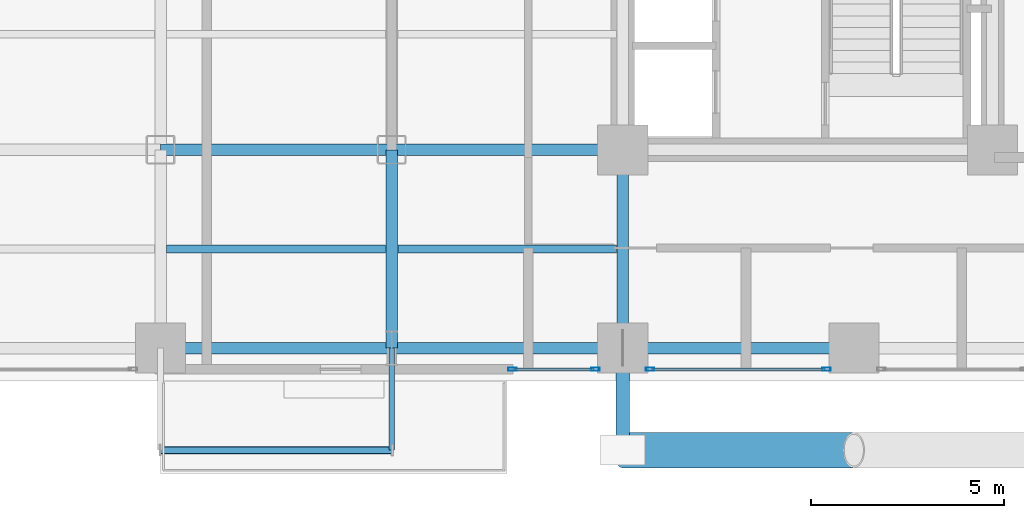
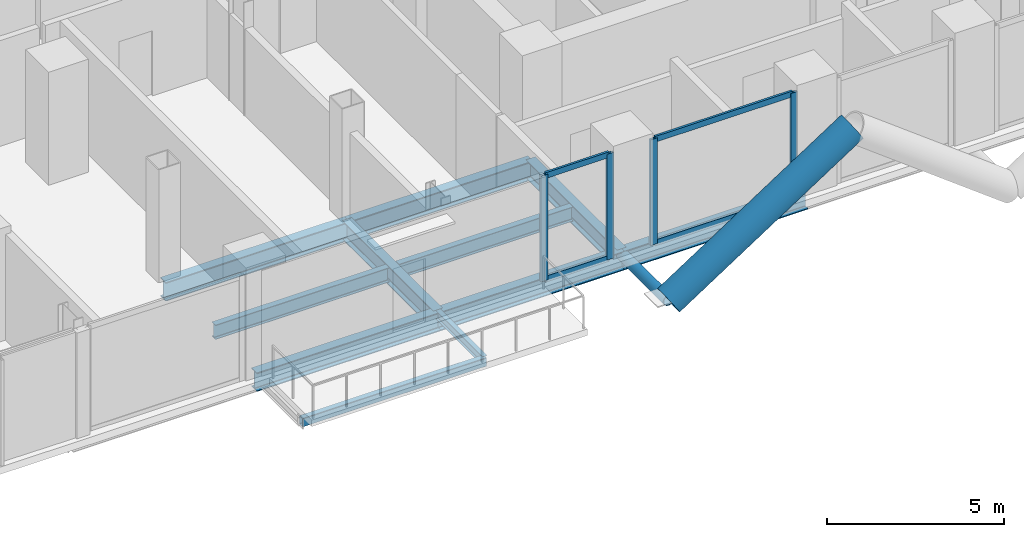
# One storey, part 3 of 25: 11 beams, 10 members, 2 elements without a shape of their own.
"""IFC4 building model written with IfcOpenShell, lengths in metres."""

from ifc_helpers import new_model, si_unit, direction, frame, origin, origin_2d, place, context, subcontext, project, spatial, hollow_rectangle, hollow_circle, i_section, extrude, material, layer, layer_set, material_profile, profile_set, type_object, element, aggregate, save


model = new_model("IFC4")

# Units and contexts
model_context = context("Model", 3, precision=1e-05, world=origin(), true_north=direction((0.0, 1.0)))
body_context = subcontext(model_context, "Body", "Model", "MODEL_VIEW")
ifc_project = project(units=[si_unit("LENGTHUNIT", "METRE"), si_unit("AREAUNIT", "SQUARE_METRE"), si_unit("VOLUMEUNIT", "CUBIC_METRE"), si_unit("PLANEANGLEUNIT", "RADIAN"), si_unit("MASSUNIT", "GRAM", prefix="KILO"), si_unit("THERMODYNAMICTEMPERATUREUNIT", "KELVIN"), si_unit("POWERUNIT", "WATT")], contexts=[model_context])

# Site, building, storey
site_placement = place(None, origin())
site = spatial("IfcSite", under=ifc_project, at=site_placement, CompositionType="ELEMENT")
building_placement = place(site_placement, origin())
building = spatial("IfcBuilding", under=site, at=building_placement, Name="Svarakhadi Broadcast Tower", CompositionType="ELEMENT")
storey_placement = place(building_placement, frame((0.0, 0.0, 83.10009765625)))
storey = spatial("IfcBuildingStorey", under=building, at=storey_placement, Name="L19", CompositionType="ELEMENT", Elevation=83.10009765625)

# Beams
ifc_material_1 = material(Name="Steel S355J2 (IS 2062 E350C)", Category="steel")
ifc_material_profile_1 = material_profile(ifc_material_1, i_section(OverallWidth=0.199951171875, OverallDepth=0.5, WebThickness=0.01025390625, FlangeThickness=0.01611328125, FilletRadius=0.02099609375, at=origin_2d()), Name="NPB 500x200x91")
ifc_profile_set_1 = profile_set([ifc_material_profile_1], Name="Steel S355J2 (IS 2062 E350C)")
beam_type_1 = type_object("IfcBeamType", Name="Beam_NPB500", PredefinedType="BEAM", material=ifc_profile_set_1)
for number, where, z_axis, x_axis, name in (
    (1, (12.159912109375, 3.425048828125, -0.5), (1.0, 0.0, 0.0), (0.0, 1.0, 0.0), "L19 Secondary Composite Beam SB013"),
    (2, (18.159912109375, 3.425048828125, -0.5), (1.0, 0.0, 0.0), (0.0, 1.0, 0.0), "L19 Secondary Composite Beam SB019"),
):
    element("IfcBeam", number, at=place(storey_placement, frame(where, z_axis=z_axis, x_axis=x_axis)), inside=storey, type_object=beam_type_1, Name=name, PredefinedType="BEAM", context=body_context, shape_type="SweptSolid", body=[
        extrude(i_section(OverallWidth=0.199951171875, OverallDepth=0.5, WebThickness=0.01025390625, FlangeThickness=0.01611328125, FilletRadius=0.02099609375, at=origin_2d()), origin(), (0.0, 0.0, 1.0), 5.68017578125),
    ])

# Curtain wall, members
ifc_material_2 = material(Name="Anodised Bronze Aluminium AA 6063-T6", Category="aluminium")
ifc_layer = layer(ifc_material_2, 0.219970703125)
ifc_layer_set = layer_set([ifc_layer], Name="Anodised Bronze Aluminium AA 6063-T6")
curtain_wall_type = type_object("IfcCurtainWallType", Name="CW_Sys_02", PredefinedType="NOTDEFINED", material=ifc_layer_set)
curtain_wall_1_placement = place(storey_placement, origin())
curtain_wall_1 = element("IfcCurtainWall", 3, at=curtain_wall_1_placement, inside=storey, type_object=curtain_wall_type, Name="L19 South Curtain Wall 16 Bay 5", PredefinedType="NOTDEFINED")
ifc_material_profile_2 = material_profile(ifc_material_2, hollow_rectangle(XDim=0.0849609375, YDim=0.219970703125, WallThickness=0.006103515625, at=origin_2d()), Name="ALU MULLION 220x85x6")
ifc_profile_set_2 = profile_set([ifc_material_profile_2], Name="Anodised Bronze Aluminium AA 6063-T6")
member_type_1 = type_object("IfcMemberType", Name="CW_Sys_02_Mul", PredefinedType="MULLION", material=ifc_profile_set_2)
member_1_placement = place(storey_placement, frame((29.28759765625, 0.300048828125, 0.0), z_axis=(0.0, 0.0, 1.0), x_axis=(0.0, -1.0, 0.0)))
member_1 = element("IfcMember", 4, at=member_1_placement, type_object=member_type_1, Name="CW-02 mullion 1", PredefinedType="MULLION", context=body_context, shape_type="SweptSolid", body=[
    extrude(hollow_rectangle(XDim=0.0849609375, YDim=0.219970703125, WallThickness=0.006103515625, at=origin_2d()), origin(), (0.0, 0.0, 1.0), 3.64990234375),
])
member_2_placement = place(storey_placement, frame((24.71240234375, 0.300048828125, 0.0), z_axis=(0.0, 0.0, 1.0), x_axis=(0.0, -1.0, 0.0)))
member_2 = element("IfcMember", 5, at=member_2_placement, type_object=member_type_1, Name="CW-02 mullion 2", PredefinedType="MULLION", context=body_context, shape_type="SweptSolid", body=[
    extrude(hollow_rectangle(XDim=0.0849609375, YDim=0.219970703125, WallThickness=0.006103515625, at=origin_2d()), origin(), (0.0, 0.0, 1.0), 3.64990234375),
])

curtain_wall_2_placement = place(storey_placement, origin())
curtain_wall_2 = element("IfcCurtainWall", 6, at=curtain_wall_2_placement, inside=storey, type_object=curtain_wall_type, Name="L19 South Curtain Wall 16 Bay 6", PredefinedType="NOTDEFINED")
member_3_placement = place(storey_placement, frame((23.28759765625, 0.300048828125, 0.0), z_axis=(0.0, 0.0, 1.0), x_axis=(0.0, -1.0, 0.0)))
member_3 = element("IfcMember", 7, at=member_3_placement, type_object=member_type_1, Name="CW-02 mullion 1", PredefinedType="MULLION", context=body_context, shape_type="SweptSolid", body=[
    extrude(hollow_rectangle(XDim=0.0849609375, YDim=0.219970703125, WallThickness=0.006103515625, at=origin_2d()), origin(), (0.0, 0.0, 1.0), 3.64990234375),
])
member_4_placement = place(storey_placement, frame((21.132568359375, 0.300048828125, 0.0), z_axis=(0.0, 0.0, 1.0), x_axis=(0.0, -1.0, 0.0)))
member_4 = element("IfcMember", 8, at=member_4_placement, type_object=member_type_1, Name="CW-02 mullion 2", PredefinedType="MULLION", context=body_context, shape_type="SweptSolid", body=[
    extrude(hollow_rectangle(XDim=0.0849609375, YDim=0.219970703125, WallThickness=0.006103515625, at=origin_2d()), origin(), (0.0, 0.0, 1.0), 3.64990234375),
])

# Member
ifc_material_profile_3 = material_profile(ifc_material_2, hollow_rectangle(XDim=0.074951171875, YDim=0.199951171875, WallThickness=0.0048828125, at=origin_2d()), Name="ALU TRANSOM 200x75x5")
ifc_profile_set_3 = profile_set([ifc_material_profile_3], Name="Anodised Bronze Aluminium AA 6063-T6")
member_type_2 = type_object("IfcMemberType", Name="CW_Sys_02_Trn", PredefinedType="USERDEFINED", material=ifc_profile_set_3)
member_5_placement = place(storey_placement, frame((29.2451171875, 0.300048828125, 0.037353515625), z_axis=(-1.0, 0.0, 0.0), x_axis=(0.0, -1.0, 0.0)))
member_5 = element("IfcMember", 9, at=member_5_placement, type_object=member_type_2, Name="CW-02 transom 1.1", ObjectType="TRANSOM", PredefinedType="USERDEFINED", context=body_context, shape_type="SweptSolid", body=[
    extrude(hollow_rectangle(XDim=0.074951171875, YDim=0.199951171875, WallThickness=0.0048828125, at=origin_2d()), origin(), (0.0, 0.0, 1.0), 4.490234375),
])

member_6_placement = place(storey_placement, frame((29.2451171875, 0.300048828125, 3.6123046875), z_axis=(-1.0, 0.0, 0.0), x_axis=(0.0, -1.0, 0.0)))
member_6 = element("IfcMember", 10, at=member_6_placement, type_object=member_type_2, Name="CW-02 transom 1.2", ObjectType="TRANSOM", PredefinedType="USERDEFINED", context=body_context, shape_type="SweptSolid", body=[
    extrude(hollow_rectangle(XDim=0.074951171875, YDim=0.199951171875, WallThickness=0.0048828125, at=origin_2d()), origin(), (0.0, 0.0, 1.0), 4.490234375),
])

aggregate(curtain_wall_1, [member_1, member_2, member_5, member_6])

member_7_placement = place(storey_placement, frame((23.2451171875, 0.300048828125, 0.037353515625), z_axis=(-1.0, 0.0, 0.0), x_axis=(0.0, -1.0, 0.0)))
member_7 = element("IfcMember", 11, at=member_7_placement, type_object=member_type_2, Name="CW-02 transom 1.1", ObjectType="TRANSOM", PredefinedType="USERDEFINED", context=body_context, shape_type="SweptSolid", body=[
    extrude(hollow_rectangle(XDim=0.074951171875, YDim=0.199951171875, WallThickness=0.0048828125, at=origin_2d()), origin(), (0.0, 0.0, 1.0), 2.070068359375),
])

member_8_placement = place(storey_placement, frame((23.2451171875, 0.300048828125, 3.6123046875), z_axis=(-1.0, 0.0, 0.0), x_axis=(0.0, -1.0, 0.0)))
member_8 = element("IfcMember", 12, at=member_8_placement, type_object=member_type_2, Name="CW-02 transom 1.2", ObjectType="TRANSOM", PredefinedType="USERDEFINED", context=body_context, shape_type="SweptSolid", body=[
    extrude(hollow_rectangle(XDim=0.074951171875, YDim=0.199951171875, WallThickness=0.0048828125, at=origin_2d()), origin(), (0.0, 0.0, 1.0), 2.070068359375),
])

aggregate(curtain_wall_2, [member_3, member_4, member_7, member_8])

# Members
ifc_material_3 = material(Name="Steel S460ML (IS 2062 E450BR)", Category="steel")
ifc_material_profile_4 = material_profile(ifc_material_3, hollow_circle(Radius=0.45703125, WallThickness=0.044921875, at=origin_2d()), Name="CHS 914x45")
ifc_profile_set_4 = profile_set([ifc_material_profile_4], Name="Steel S460ML (IS 2062 E450BR)")
member_type_3 = type_object("IfcMemberType", Name="Exo_Brace_CHS914", PredefinedType="BRACE", material=ifc_profile_set_4)
member_9_placement = place(storey_placement, frame((24.0, -1.800048828125, -0.427978515625), z_axis=(0.838434262763, 0.0, 0.545002740383), x_axis=(0.0, 1.0, 0.0)))
element("IfcMember", 13, at=member_9_placement, inside=storey, type_object=member_type_3, Name="L19 Exposed Bronze Exoskeleton Diagonal S01", PredefinedType="BRACE", context=body_context, shape_type="SweptSolid", body=[
    extrude(hollow_circle(Radius=0.45703125, WallThickness=0.044921875, at=origin_2d()), origin(), (0.0, 0.0, 1.0), 7.15625),
])
ifc_material_profile_5 = material_profile(ifc_material_3, hollow_circle(Radius=0.177734375, WallThickness=0.02001953125, at=origin_2d()), Name="CHS 355.6x20")
ifc_profile_set_5 = profile_set([ifc_material_profile_5], Name="Steel S460ML (IS 2062 E450BR)")
member_type_4 = type_object("IfcMemberType", Name="Exo_Radial_Strut_Z1", PredefinedType="STRUT", material=ifc_profile_set_5)
member_10_placement = place(storey_placement, frame((24.0, -1.800048828125, -0.427978515625), z_axis=(0.0, 1.0, 0.0), x_axis=(-1.0, 0.0, 0.0)))
element("IfcMember", 14, at=member_10_placement, inside=storey, type_object=member_type_4, Name="L19 Exoskeleton Radial Tie Strut S01", PredefinedType="STRUT", context=body_context, shape_type="SweptSolid", body=[
    extrude(hollow_circle(Radius=0.177734375, WallThickness=0.02001953125, at=origin_2d()), origin(), (0.0, 0.0, 1.0), 2.650146484375),
])

# Beams
ifc_material_profile_6 = material_profile(ifc_material_1, i_section(OverallWidth=0.300048828125, OverallDepth=0.64990234375, WebThickness=0.01611328125, FlangeThickness=0.031005859375, FilletRadius=0.027099609375, at=origin_2d()), Name="WPB 650x300x225")
ifc_profile_set_6 = profile_set([ifc_material_profile_6], Name="Steel S355J2 (IS 2062 E350C)")
beam_type_2 = type_object("IfcBeamType", Name="Girder_WPB650", PredefinedType="USERDEFINED", material=ifc_profile_set_6)
for number, where, z_axis, x_axis, name in (
    (15, (12.0, 0.85009765625, -0.5751953125), (1.0, 0.0, 0.0), (0.0, 1.0, 0.0), "L19 Primary E-W Girder G005"),
    (16, (18.0, 0.85009765625, -0.5751953125), (1.0, 0.0, 0.0), (0.0, 1.0, 0.0), "L19 Primary E-W Girder G006"),
    (17, (24.0, 0.85009765625, -0.5751953125), (1.0, 0.0, 0.0), (0.0, 1.0, 0.0), "L19 Primary E-W Girder G007"),
    (18, (12.0, 6.0, -0.5751953125), (1.0, 0.0, 0.0), (0.0, 1.0, 0.0), "L19 Primary E-W Girder G013"),
    (19, (18.0, 6.0, -0.5751953125), (1.0, 0.0, 0.0), (0.0, 1.0, 0.0), "L19 Primary E-W Girder G014"),
):
    element("IfcBeam", number, at=place(storey_placement, frame(where, z_axis=z_axis, x_axis=x_axis)), inside=storey, type_object=beam_type_2, Name=name, ObjectType="GIRDER", PredefinedType="USERDEFINED", context=body_context, shape_type="SweptSolid", body=[
        extrude(i_section(OverallWidth=0.300048828125, OverallDepth=0.64990234375, WebThickness=0.01611328125, FlangeThickness=0.031005859375, FilletRadius=0.027099609375, at=origin_2d()), origin(), (0.0, 0.0, 1.0), 6.0),
    ])
for number, where, z_axis, x_axis, name in (
    (20, (18.0, 0.85009765625, -0.5751953125), (0.0, 1.0, 0.0), (-1.0, 0.0, 0.0), "L19 Primary N-S Girder G064"),
    (21, (24.0, 0.85009765625, -0.5751953125), (0.0, 1.0, 0.0), (-1.0, 0.0, 0.0), "L19 Primary N-S Girder G071"),
):
    element("IfcBeam", number, at=place(storey_placement, frame(where, z_axis=z_axis, x_axis=x_axis)), inside=storey, type_object=beam_type_2, Name=name, ObjectType="GIRDER", PredefinedType="USERDEFINED", context=body_context, shape_type="SweptSolid", body=[
        extrude(i_section(OverallWidth=0.300048828125, OverallDepth=0.64990234375, WebThickness=0.01611328125, FlangeThickness=0.031005859375, FilletRadius=0.027099609375, at=origin_2d()), origin(), (0.0, 0.0, 1.0), 5.14990234375),
    ])
ifc_material_profile_7 = material_profile(ifc_material_1, i_section(OverallWidth=0.14990234375, OverallDepth=0.300048828125, WebThickness=0.007080078125, FlangeThickness=0.0107421875, FilletRadius=0.014892578125, at=origin_2d()), Name="NPB 300x150x37")
ifc_profile_set_7 = profile_set([ifc_material_profile_7], Name="Steel S355J2 (IS 2062 E350C)")
beam_type_3 = type_object("IfcBeamType", Name="Spandrel_NPB300", PredefinedType="SPANDREL", material=ifc_profile_set_7)
beam_1_placement = place(storey_placement, frame((18.0, 0.85009765625, -0.400146484375), z_axis=(0.0, -1.0, 0.0), x_axis=(1.0, 0.0, 0.0)))
element("IfcBeam", 22, at=beam_1_placement, inside=storey, type_object=beam_type_3, Name="L19 Balcony Cantilever Bracket 1B", PredefinedType="SPANDREL", context=body_context, shape_type="SweptSolid", body=[
    extrude(i_section(OverallWidth=0.14990234375, OverallDepth=0.300048828125, WebThickness=0.007080078125, FlangeThickness=0.0107421875, FilletRadius=0.014892578125, at=origin_2d()), origin(), (0.0, 0.0, 1.0), 2.650146484375),
])
ifc_material_profile_8 = material_profile(ifc_material_3, hollow_rectangle(XDim=0.199951171875, YDim=0.300048828125, WallThickness=0.012451171875, InnerFilletRadius=0.012451171875, OuterFilletRadius=0.02490234375, at=origin_2d()), Name="RHS 300x200x12.5")
ifc_profile_set_8 = profile_set([ifc_material_profile_8], Name="Steel S460ML (IS 2062 E450BR)")
beam_type_4 = type_object("IfcBeamType", Name="Spandrel_RHS300", PredefinedType="SPANDREL", material=ifc_profile_set_8)
beam_2_placement = place(storey_placement, frame((12.0, -1.800048828125, -0.400146484375), z_axis=(1.0, 0.0, 0.0), x_axis=(0.0, 1.0, 0.0)))
element("IfcBeam", 23, at=beam_2_placement, inside=storey, type_object=beam_type_4, Name="L19 Balcony Outer Spandrel 1F", PredefinedType="SPANDREL", context=body_context, shape_type="SweptSolid", body=[
    extrude(hollow_rectangle(XDim=0.199951171875, YDim=0.300048828125, WallThickness=0.012451171875, InnerFilletRadius=0.012451171875, OuterFilletRadius=0.02490234375, at=origin_2d()), origin(), (0.0, 0.0, 1.0), 6.0),
])

save(model, "model.ifc")
